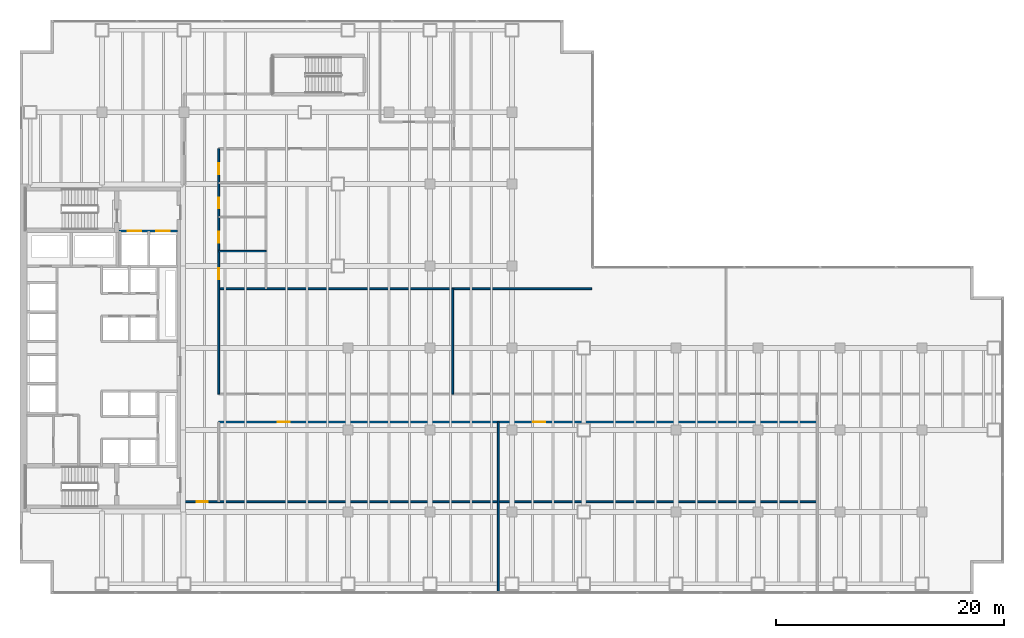
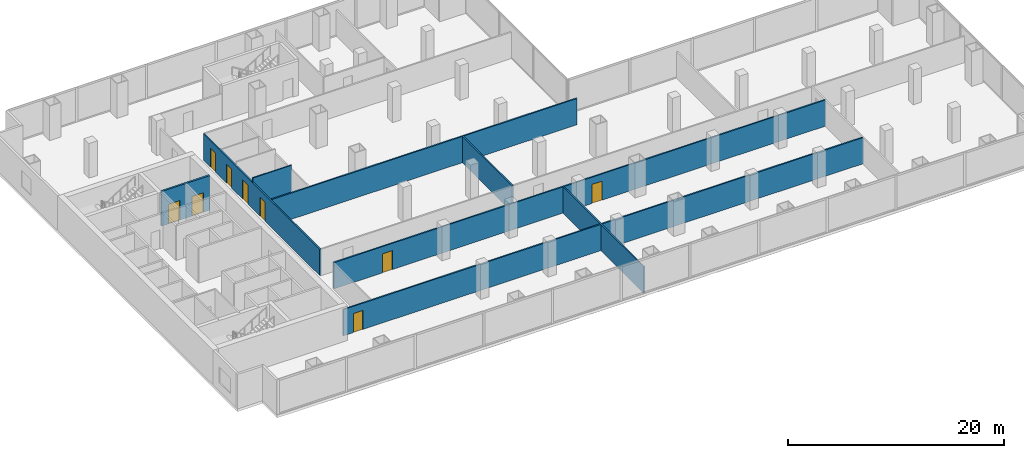
# One storey, part 23 of 29: 9 doors, 8 walls, 9 openings.
"""IFC4 building model written with IfcOpenShell, lengths in metres."""

from ifc_helpers import new_model, si_unit, direction, frame, frame_2d, origin, place, context, subcontext, project, spatial, rectangle, extrude, material, layer, layer_set, type_object, element, fill, save


model = new_model("IFC4")

# Units and contexts
model_context = context("Model", 3, precision=1e-05, world=origin(), true_north=direction((0.0, 1.0)))
body_context = subcontext(model_context, "Body", "Model", "MODEL_VIEW")
ifc_project = project(units=[si_unit("LENGTHUNIT", "METRE"), si_unit("AREAUNIT", "SQUARE_METRE"), si_unit("VOLUMEUNIT", "CUBIC_METRE"), si_unit("PLANEANGLEUNIT", "RADIAN"), si_unit("MASSUNIT", "GRAM", prefix="KILO")], contexts=[model_context])

# Site, building, storey
site_placement = place(None, origin())
site = spatial("IfcSite", under=ifc_project, at=site_placement, CompositionType="ELEMENT")
building_placement = place(site_placement, origin())
building = spatial("IfcBuilding", under=site, at=building_placement, Name="Cobrela Telecom Tower", CompositionType="ELEMENT")
storey_placement = place(building_placement, frame((0.0, 0.0, 13.64990234375)))
storey = spatial("IfcBuildingStorey", under=building, at=storey_placement, Name="L03", CompositionType="ELEMENT", Elevation=13.64990234375)

# Wall
ifc_material_1 = material(Name="Fire-Rated Gypsum Plasterboard")
ifc_layer_1 = layer(ifc_material_1, 0.125)
ifc_layer_set_1 = layer_set([ifc_layer_1], Name="Fire-Rated Gypsum Plasterboard")
wall_type_1 = type_object("IfcWallType", Name="WALL-PART-125", PredefinedType="PARTITIONING", material=ifc_layer_set_1)
wall_1_placement = place(storey_placement, frame((17.449951171875, 30.10009765625, 0.0), z_axis=(0.0, 0.0, 1.0), x_axis=(1.0, 0.0, 0.0)))
element("IfcWall", 1, at=wall_1_placement, inside=storey, type_object=wall_type_1, Name="L03 Interior Partition W-PWC-3", PredefinedType="PARTITIONING", context=body_context, shape_type="SweptSolid", body=[
    extrude(rectangle(XDim=4.150146484375, YDim=0.125, at=frame_2d((2.0751953125, 0.0))), origin(), (0.0, 0.0, 1.0), 3.427978515625),
])

# Wall, opening, door
ifc_layer_2 = layer(ifc_material_1, 0.14990234375)
ifc_layer_set_2 = layer_set([ifc_layer_2], Name="Fire-Rated Gypsum Plasterboard")
wall_type_2 = type_object("IfcWallType", Name="WALL-PART-150", PredefinedType="PARTITIONING", material=ifc_layer_set_2)
wall_2_placement = place(storey_placement, frame((14.39990234375, 8.10009765625, 0.0), z_axis=(0.0, 0.0, 1.0), x_axis=(1.0, 0.0, 0.0)))
wall_2 = element("IfcWall", 2, at=wall_2_placement, inside=storey, type_object=wall_type_2, Name="L03 Interior Partition W-PC-S", PredefinedType="PARTITIONING", context=body_context, shape_type="SweptSolid", body=[
    extrude(rectangle(XDim=55.60009765625, YDim=0.14990234375, at=frame_2d((27.800048828125, 0.0))), origin(), (0.0, 0.0, 1.0), 2.968017578125),
])
opening_1_placement = place(wall_2_placement, frame((1.10009765625, 0.0, 0.0)))
opening_1 = element("IfcOpeningElement", 3, at=opening_1_placement, cuts=wall_2, Name="Opening DR-31", PredefinedType="OPENING", context=body_context, shape_type="SweptSolid", body=[
    extrude(rectangle(XDim=1.0, YDim=2.14990234375, at=frame_2d((0.5, 1.074951171875))), frame((0.0, 0.0869140625, 0.0), z_axis=(0.0, -1.0, 0.0), x_axis=(1.0, 0.0, 0.0)), (0.0, 0.0, 1.0), 0.173828125),
])
ifc_material_2 = material(Name="Solid Engineered Oak Timber", Category="wood")
door_type_1 = type_object("IfcDoorType", Name="DOOR-INT-1000", OperationType="SINGLE_SWING_LEFT", PredefinedType="DOOR", material=ifc_material_2)
door_1_placement = place(opening_1_placement, origin())
door_1 = element("IfcDoor", 4, at=door_1_placement, inside=storey, type_object=door_type_1, Name="L03 Door DR-31", OperationType="SINGLE_SWING_RIGHT", OverallHeight=2.14990234375, OverallWidth=1.0, PredefinedType="DOOR", context=body_context, shape_type="SweptSolid", body=[
    extrude(rectangle(XDim=1.0, YDim=2.14990234375, at=frame_2d((0.5, 1.074951171875))), frame((0.0, 0.02490234375, 0.0), z_axis=(0.0, -1.0, 0.0), x_axis=(1.0, 0.0, 0.0)), (0.0, 0.0, 1.0), 0.050048828125),
])
fill(opening_1, door_1)

# Wall, openings, doors
wall_3_placement = place(storey_placement, frame((17.449951171875, 17.550048828125, 0.0), z_axis=(0.0, 0.0, 1.0), x_axis=(0.0, 1.0, 0.0)))
wall_3 = element("IfcWall", 5, at=wall_3_placement, inside=storey, type_object=wall_type_2, Name="L03 Interior Partition W-PC-E2", PredefinedType="PARTITIONING", context=body_context, shape_type="SweptSolid", body=[
    extrude(rectangle(XDim=21.550048828125, YDim=0.14990234375, at=frame_2d((10.77490234375, 0.0))), origin(), (0.0, 0.0, 1.0), 2.968017578125),
])
opening_2_placement = place(wall_3_placement, frame((19.300048828125, 0.0, 0.0)))
opening_2 = element("IfcOpeningElement", 6, at=opening_2_placement, cuts=wall_3, Name="Opening DR-67", PredefinedType="OPENING", context=body_context, shape_type="SweptSolid", body=[
    extrude(rectangle(XDim=0.949951171875, YDim=2.14990234375, at=frame_2d((0.47509765625, 1.074951171875))), frame((0.0, 0.0869140625, 0.0), z_axis=(0.0, -1.0, 0.0), x_axis=(1.0, 0.0, 0.0)), (0.0, 0.0, 1.0), 0.173828125),
])
opening_3_placement = place(wall_3_placement, frame((16.300048828125, 0.0, 0.0)))
opening_3 = element("IfcOpeningElement", 7, at=opening_3_placement, cuts=wall_3, Name="Opening DR-67", PredefinedType="OPENING", context=body_context, shape_type="SweptSolid", body=[
    extrude(rectangle(XDim=0.949951171875, YDim=2.14990234375, at=frame_2d((0.47509765625, 1.074951171875))), frame((0.0, 0.0869140625, 0.0), z_axis=(0.0, -1.0, 0.0), x_axis=(1.0, 0.0, 0.0)), (0.0, 0.0, 1.0), 0.173828125),
])
opening_4_placement = place(wall_3_placement, frame((13.300048828125, 0.0, 0.0)))
opening_4 = element("IfcOpeningElement", 8, at=opening_4_placement, cuts=wall_3, Name="Opening DR-67", PredefinedType="OPENING", context=body_context, shape_type="SweptSolid", body=[
    extrude(rectangle(XDim=0.949951171875, YDim=2.14990234375, at=frame_2d((0.47509765625, 1.074951171875))), frame((0.0, 0.0869140625, 0.0), z_axis=(0.0, -1.0, 0.0), x_axis=(1.0, 0.0, 0.0)), (0.0, 0.0, 1.0), 0.173828125),
])
opening_5_placement = place(wall_3_placement, frame((10.10009765625, 0.0, 0.0)))
opening_5 = element("IfcOpeningElement", 9, at=opening_5_placement, cuts=wall_3, Name="Opening DR-67", PredefinedType="OPENING", context=body_context, shape_type="SweptSolid", body=[
    extrude(rectangle(XDim=0.949951171875, YDim=2.14990234375, at=frame_2d((0.47509765625, 1.074951171875))), frame((0.0, 0.0869140625, 0.0), z_axis=(0.0, -1.0, 0.0), x_axis=(1.0, 0.0, 0.0)), (0.0, 0.0, 1.0), 0.173828125),
])
door_type_2 = type_object("IfcDoorType", Name="DOOR-INT-950", OperationType="SINGLE_SWING_LEFT", PredefinedType="DOOR", material=ifc_material_2)
door_2_placement = place(opening_2_placement, origin())
door_2 = element("IfcDoor", 10, at=door_2_placement, inside=storey, type_object=door_type_2, Name="L03 Door DR-67", OperationType="SINGLE_SWING_LEFT", OverallHeight=2.14990234375, OverallWidth=0.949951171875, PredefinedType="DOOR", context=body_context, shape_type="SweptSolid", body=[
    extrude(rectangle(XDim=0.949951171875, YDim=2.14990234375, at=frame_2d((0.47509765625, 1.074951171875))), frame((0.0, 0.02490234375, 0.0), z_axis=(0.0, -1.0, 0.0), x_axis=(1.0, 0.0, 0.0)), (0.0, 0.0, 1.0), 0.050048828125),
])
fill(opening_2, door_2)
door_3_placement = place(opening_3_placement, origin())
door_3 = element("IfcDoor", 11, at=door_3_placement, inside=storey, type_object=door_type_2, Name="L03 Door DR-67", OperationType="SINGLE_SWING_RIGHT", OverallHeight=2.14990234375, OverallWidth=0.949951171875, PredefinedType="DOOR", context=body_context, shape_type="SweptSolid", body=[
    extrude(rectangle(XDim=0.949951171875, YDim=2.14990234375, at=frame_2d((0.47509765625, 1.074951171875))), frame((0.0, 0.02490234375, 0.0), z_axis=(0.0, -1.0, 0.0), x_axis=(1.0, 0.0, 0.0)), (0.0, 0.0, 1.0), 0.050048828125),
])
fill(opening_3, door_3)
door_4_placement = place(opening_4_placement, origin())
door_4 = element("IfcDoor", 12, at=door_4_placement, inside=storey, type_object=door_type_2, Name="L03 Door DR-67", OperationType="SINGLE_SWING_LEFT", OverallHeight=2.14990234375, OverallWidth=0.949951171875, PredefinedType="DOOR", context=body_context, shape_type="SweptSolid", body=[
    extrude(rectangle(XDim=0.949951171875, YDim=2.14990234375, at=frame_2d((0.47509765625, 1.074951171875))), frame((0.0, 0.02490234375, 0.0), z_axis=(0.0, -1.0, 0.0), x_axis=(1.0, 0.0, 0.0)), (0.0, 0.0, 1.0), 0.050048828125),
])
fill(opening_4, door_4)
door_5_placement = place(opening_5_placement, origin())
door_5 = element("IfcDoor", 13, at=door_5_placement, inside=storey, type_object=door_type_2, Name="L03 Door DR-67", OperationType="SINGLE_SWING_RIGHT", OverallHeight=2.14990234375, OverallWidth=0.949951171875, PredefinedType="DOOR", context=body_context, shape_type="SweptSolid", body=[
    extrude(rectangle(XDim=0.949951171875, YDim=2.14990234375, at=frame_2d((0.47509765625, 1.074951171875))), frame((0.0, 0.02490234375, 0.0), z_axis=(0.0, -1.0, 0.0), x_axis=(1.0, 0.0, 0.0)), (0.0, 0.0, 1.0), 0.050048828125),
])
fill(opening_5, door_5)

wall_4_placement = place(storey_placement, frame((17.449951171875, 15.10009765625, 0.0), z_axis=(0.0, 0.0, 1.0), x_axis=(1.0, 0.0, 0.0)))
wall_4 = element("IfcWall", 14, at=wall_4_placement, inside=storey, type_object=wall_type_2, Name="L03 Interior Partition W-PC-HS", PredefinedType="PARTITIONING", context=body_context, shape_type="SweptSolid", body=[
    extrude(rectangle(XDim=52.550048828125, YDim=0.14990234375, at=frame_2d((26.27490234375, 0.0))), origin(), (0.0, 0.0, 1.0), 2.968017578125),
])
opening_6_placement = place(wall_4_placement, frame((5.199951171875, 0.0, 0.0)))
opening_6 = element("IfcOpeningElement", 15, at=opening_6_placement, cuts=wall_4, Name="Opening DR-29", PredefinedType="OPENING", context=body_context, shape_type="SweptSolid", body=[
    extrude(rectangle(XDim=1.050048828125, YDim=2.14990234375, at=frame_2d((0.52490234375, 1.074951171875))), frame((0.0, 0.0869140625, 0.0), z_axis=(0.0, -1.0, 0.0), x_axis=(1.0, 0.0, 0.0)), (0.0, 0.0, 1.0), 0.173828125),
])
opening_7_placement = place(wall_4_placement, frame((27.60009765625, 0.0, 0.0)))
opening_7 = element("IfcOpeningElement", 16, at=opening_7_placement, cuts=wall_4, Name="Opening DR-29", PredefinedType="OPENING", context=body_context, shape_type="SweptSolid", body=[
    extrude(rectangle(XDim=1.050048828125, YDim=2.14990234375, at=frame_2d((0.52490234375, 1.074951171875))), frame((0.0, 0.0869140625, 0.0), z_axis=(0.0, -1.0, 0.0), x_axis=(1.0, 0.0, 0.0)), (0.0, 0.0, 1.0), 0.173828125),
])
door_type_3 = type_object("IfcDoorType", Name="DOOR-INT-1050", OperationType="SINGLE_SWING_LEFT", PredefinedType="DOOR", material=ifc_material_2)
door_6_placement = place(opening_6_placement, origin())
door_6 = element("IfcDoor", 17, at=door_6_placement, inside=storey, type_object=door_type_3, Name="L03 Door DR-29", OperationType="SINGLE_SWING_LEFT", OverallHeight=2.14990234375, OverallWidth=1.050048828125, PredefinedType="DOOR", context=body_context, shape_type="SweptSolid", body=[
    extrude(rectangle(XDim=1.050048828125, YDim=2.14990234375, at=frame_2d((0.52490234375, 1.074951171875))), frame((0.0, 0.02490234375, 0.0), z_axis=(0.0, -1.0, 0.0), x_axis=(1.0, 0.0, 0.0)), (0.0, 0.0, 1.0), 0.050048828125),
])
fill(opening_6, door_6)
door_7_placement = place(opening_7_placement, origin())
door_7 = element("IfcDoor", 18, at=door_7_placement, inside=storey, type_object=door_type_3, Name="L03 Door DR-29", OperationType="SINGLE_SWING_RIGHT", OverallHeight=2.14990234375, OverallWidth=1.050048828125, PredefinedType="DOOR", context=body_context, shape_type="SweptSolid", body=[
    extrude(rectangle(XDim=1.050048828125, YDim=2.14990234375, at=frame_2d((0.52490234375, 1.074951171875))), frame((0.0, 0.02490234375, 0.0), z_axis=(0.0, -1.0, 0.0), x_axis=(1.0, 0.0, 0.0)), (0.0, 0.0, 1.0), 0.050048828125),
])
fill(opening_7, door_7)

# Walls
wall_5_placement = place(storey_placement, frame((17.449951171875, 26.800048828125, 0.0), z_axis=(0.0, 0.0, 1.0), x_axis=(1.0, 0.0, 0.0)))
element("IfcWall", 19, at=wall_5_placement, inside=storey, type_object=wall_type_2, Name="L03 Interior Partition W-PWC-4", PredefinedType="PARTITIONING", context=body_context, shape_type="SweptSolid", body=[
    extrude(rectangle(XDim=32.75, YDim=0.14990234375, at=frame_2d((16.375, 0.0))), origin(), (0.0, 0.0, 1.0), 2.968017578125),
])
wall_6_placement = place(storey_placement, frame((38.0, 17.550048828125, 0.0), z_axis=(0.0, 0.0, 1.0), x_axis=(0.0, 1.0, 0.0)))
element("IfcWall", 20, at=wall_6_placement, inside=storey, type_object=wall_type_2, Name="L03 Interior Partition W-POD-V1", PredefinedType="PARTITIONING", context=body_context, shape_type="SweptSolid", body=[
    extrude(rectangle(XDim=9.25, YDim=0.14990234375, at=frame_2d((4.625, 0.0))), origin(), (0.0, 0.0, 1.0), 2.968017578125),
])
wall_7_placement = place(storey_placement, frame((42.0, 0.1201171875, 0.0), z_axis=(0.0, 0.0, 1.0), x_axis=(0.0, 1.0, 0.0)))
element("IfcWall", 21, at=wall_7_placement, inside=storey, type_object=wall_type_2, Name="L03 Interior Partition W-POD-S1", PredefinedType="PARTITIONING", context=body_context, shape_type="SweptSolid", body=[
    extrude(rectangle(XDim=14.97998046875, YDim=0.14990234375, at=frame_2d((7.489990234375, 0.0))), origin(), (0.0, 0.0, 1.0), 2.968017578125),
])

# Wall, openings, doors
ifc_layer_3 = layer(ifc_material_1, 0.199951171875)
ifc_layer_set_3 = layer_set([ifc_layer_3], Name="Fire-Rated Gypsum Plasterboard")
wall_type_3 = type_object("IfcWallType", Name="WALL-SHAFT-200", PredefinedType="PARTITIONING", material=ifc_layer_set_3)
wall_8_placement = place(storey_placement, frame((8.699951171875, 31.8798828125, 0.0), z_axis=(0.0, 0.0, 1.0), x_axis=(1.0, 0.0, 0.0)))
wall_8 = element("IfcWall", 22, at=wall_8_placement, inside=storey, type_object=wall_type_3, Name="L03 Shaft Enclosure CW-FFL-S", PredefinedType="PARTITIONING", context=body_context, shape_type="SweptSolid", body=[
    extrude(rectangle(XDim=5.150146484375, YDim=0.199951171875, at=frame_2d((2.5751953125, 0.0))), origin(), (0.0, 0.0, 1.0), 3.91015625),
])
opening_8_placement = place(wall_8_placement, frame((0.75, 0.0, 0.0)))
opening_8 = element("IfcOpeningElement", 23, at=opening_8_placement, cuts=wall_8, Name="Opening LD-2", PredefinedType="OPENING", context=body_context, shape_type="SweptSolid", body=[
    extrude(rectangle(XDim=1.199951171875, YDim=2.199951171875, at=frame_2d((0.60009765625, 1.10009765625))), frame((0.0, 0.11181640625, 0.0), z_axis=(0.0, -1.0, 0.0), x_axis=(1.0, 0.0, 0.0)), (0.0, 0.0, 1.0), 0.223876953125),
])
opening_9_placement = place(wall_8_placement, frame((3.25, 0.0, 0.0)))
opening_9 = element("IfcOpeningElement", 24, at=opening_9_placement, cuts=wall_8, Name="Opening LD-2", PredefinedType="OPENING", context=body_context, shape_type="SweptSolid", body=[
    extrude(rectangle(XDim=1.199951171875, YDim=2.199951171875, at=frame_2d((0.60009765625, 1.10009765625))), frame((0.0, 0.11181640625, 0.0), z_axis=(0.0, -1.0, 0.0), x_axis=(1.0, 0.0, 0.0)), (0.0, 0.0, 1.0), 0.223876953125),
])
ifc_material_3 = material(Name="Steel ASTM A36", Category="steel")
door_type_4 = type_object("IfcDoorType", Name="DOOR-LD-FFL", OperationType="SINGLE_SWING_LEFT", PredefinedType="DOOR", material=ifc_material_3)
door_8_placement = place(opening_8_placement, origin())
door_8 = element("IfcDoor", 25, at=door_8_placement, inside=storey, type_object=door_type_4, Name="L03 Lift Landing Door LD-2", OperationType="DOUBLE_DOOR_SLIDING", OverallHeight=2.199951171875, OverallWidth=1.199951171875, PredefinedType="DOOR", context=body_context, shape_type="SweptSolid", body=[
    extrude(rectangle(XDim=1.199951171875, YDim=2.199951171875, at=frame_2d((0.60009765625, 1.10009765625))), frame((0.0, 0.02490234375, 0.0), z_axis=(0.0, -1.0, 0.0), x_axis=(1.0, 0.0, 0.0)), (0.0, 0.0, 1.0), 0.050048828125),
])
fill(opening_8, door_8)
door_9_placement = place(opening_9_placement, origin())
door_9 = element("IfcDoor", 26, at=door_9_placement, inside=storey, type_object=door_type_4, Name="L03 Lift Landing Door LD-2", OperationType="DOUBLE_DOOR_SLIDING", OverallHeight=2.199951171875, OverallWidth=1.199951171875, PredefinedType="DOOR", context=body_context, shape_type="SweptSolid", body=[
    extrude(rectangle(XDim=1.199951171875, YDim=2.199951171875, at=frame_2d((0.60009765625, 1.10009765625))), frame((0.0, 0.02490234375, 0.0), z_axis=(0.0, -1.0, 0.0), x_axis=(1.0, 0.0, 0.0)), (0.0, 0.0, 1.0), 0.050048828125),
])
fill(opening_9, door_9)

save(model, "model.ifc")
